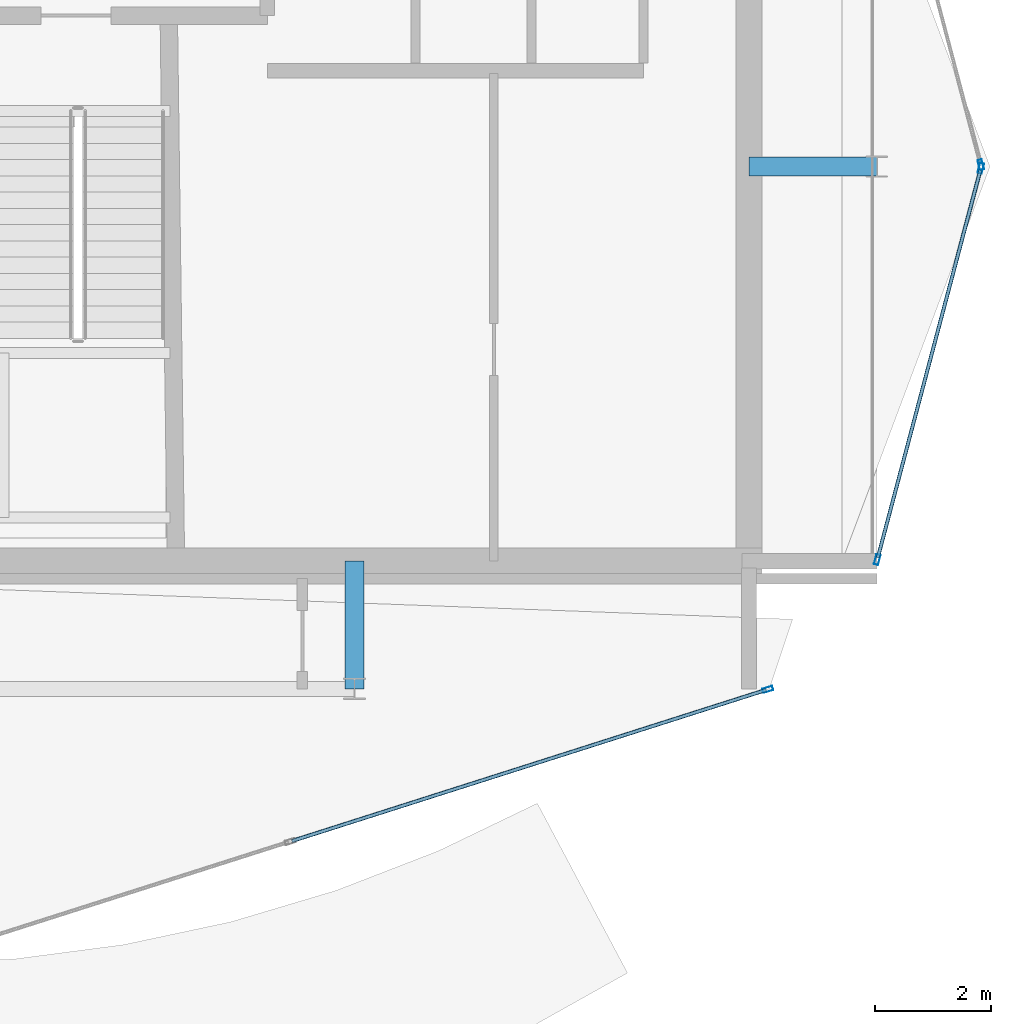
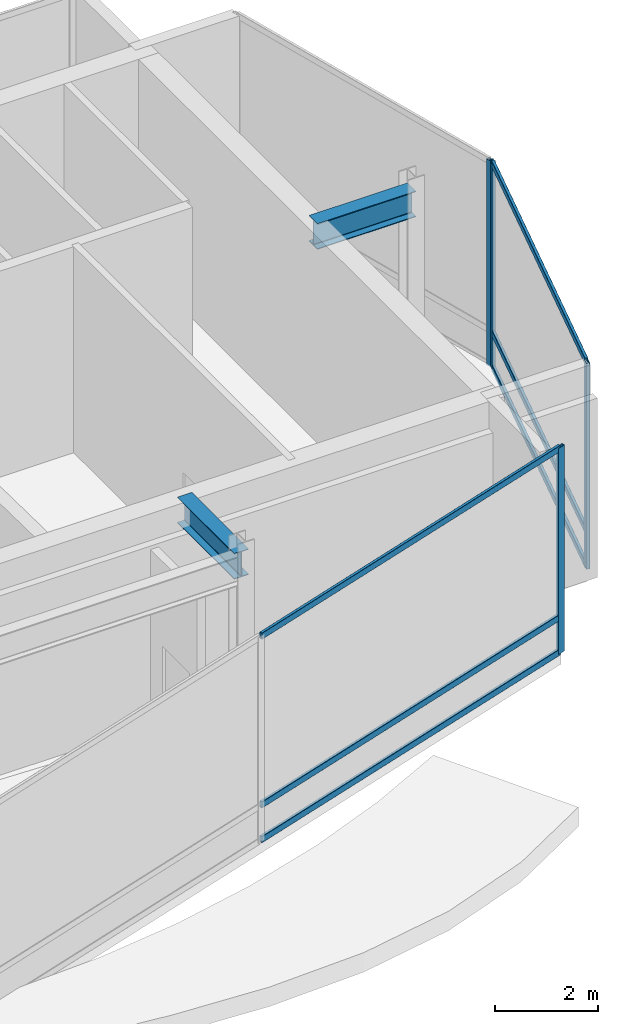
# One storey, part 11 of 21: 10 members, 2 beams, 3 elements without a shape of their own.
"""IFC4 building model written with IfcOpenShell, lengths in metres."""

from ifc_helpers import new_model, si_unit, direction, frame, origin, origin_2d, place, context, subcontext, project, spatial, hollow_rectangle, i_section, extrude, material, layer, layer_set, material_profile, profile_set, type_object, element, aggregate, save


model = new_model("IFC4")

# Units and contexts
model_context = context("Model", 3, precision=1e-05, world=origin(), true_north=direction((0.0, 1.0)))
body_context = subcontext(model_context, "Body", "Model", "MODEL_VIEW")
ifc_project = project(units=[si_unit("LENGTHUNIT", "METRE"), si_unit("AREAUNIT", "SQUARE_METRE"), si_unit("VOLUMEUNIT", "CUBIC_METRE"), si_unit("PLANEANGLEUNIT", "RADIAN"), si_unit("MASSUNIT", "GRAM", prefix="KILO")], contexts=[model_context])

# Site, building, storey
site_placement = place(None, origin())
site = spatial("IfcSite", under=ifc_project, at=site_placement, CompositionType="ELEMENT")
building_placement = place(site_placement, origin())
building = spatial("IfcBuilding", under=site, at=building_placement, Name="Solvaryn Broadcast Tower", CompositionType="ELEMENT")
storey_placement = place(building_placement, frame((0.0, 0.0, 297.39990234375)))
storey = spatial("IfcBuildingStorey", under=building, at=storey_placement, Name="L75", CompositionType="ELEMENT", Elevation=297.39990234375)

# Beams
ifc_material_1 = material(Name="Steel ASTM A992 Grade 50", Category="steel")
ifc_material_profile_1 = material_profile(ifc_material_1, i_section(OverallWidth=0.323974609375, OverallDepth=0.611083984375, WebThickness=0.0126953125, FlangeThickness=0.01904296875, FilletRadius=0.014892578125, at=origin_2d()))
ifc_profile_set_1 = profile_set([ifc_material_profile_1], Name="Steel ASTM A992 Grade 50")
beam_type = type_object("IfcBeamType", Name="BM-B1-W24X104", PredefinedType="BEAM", material=ifc_profile_set_1)
for number, where, z_axis, x_axis, name in (
    (1, (36.0, 9.0, 4.564697265625), (0.0, 1.0, 0.0), (-1.0, 0.0, 0.0), "L75 Core Tie Beam CTE1"),
    (2, (42.800048828125, 18.0, 4.564697265625), (1.0, 0.0, 0.0), (0.0, 1.0, 0.0), "L75 Core Tie Beam CTE3"),
):
    element("IfcBeam", number, at=place(storey_placement, frame(where, z_axis=z_axis, x_axis=x_axis)), inside=storey, type_object=beam_type, Name=name, PredefinedType="BEAM", context=body_context, shape_type="SweptSolid", body=[
        extrude(i_section(OverallWidth=0.323974609375, OverallDepth=0.611083984375, WebThickness=0.0126953125, FlangeThickness=0.01904296875, FilletRadius=0.014892578125, at=origin_2d()), origin(), (0.0, 0.0, 1.0), 2.199951171875),
    ])

# Curtain wall, member
ifc_material_2 = material(Name="Aluminium and Terracotta Unitised Curtain Wall", Category="masonry")
ifc_layer = layer(ifc_material_2, 0.260009765625)
ifc_layer_set = layer_set([ifc_layer], Name="CW-SYS5-DAMPER")
curtain_wall_type = type_object("IfcCurtainWallType", Name="CW-SYS5-DAMPER", PredefinedType="NOTDEFINED", material=ifc_layer_set)
curtain_wall_1_placement = place(storey_placement, origin())
curtain_wall_1 = element("IfcCurtainWall", 3, at=curtain_wall_1_placement, inside=storey, type_object=curtain_wall_type, Name="L75 Curtain Wall DR4", PredefinedType="NOTDEFINED")
ifc_material_3 = material(Name="Anodised Aluminium 6063-T6", Category="aluminium")
ifc_material_profile_2 = material_profile(ifc_material_3, hollow_rectangle(XDim=0.074951171875, YDim=0.179931640625, WallThickness=0.00390625, InnerFilletRadius=0.00390625, OuterFilletRadius=0.008056640625, at=origin_2d()))
ifc_profile_set_2 = profile_set([ifc_material_profile_2], Name="Anodised Aluminium 6063-T6")
member_type_1 = type_object("IfcMemberType", Name="CW-MUL-180", PredefinedType="MULLION", material=ifc_profile_set_2)
member_1_placement = place(storey_placement, frame((43.120361328125, 8.990966796875, 0.0), z_axis=(0.0, 0.0, 1.0), x_axis=(-0.30361564569, 0.952794594701, 0.0)))
member_1 = element("IfcMember", 4, at=member_1_placement, type_object=member_type_1, Name="CWS5 mullion 3", PredefinedType="MULLION", context=body_context, shape_type="SweptSolid", body=[
    extrude(hollow_rectangle(XDim=0.074951171875, YDim=0.179931640625, WallThickness=0.00390625, InnerFilletRadius=0.00390625, OuterFilletRadius=0.008056640625, at=origin_2d()), origin(), (0.0, 0.0, 1.0), 4.8701171875),
])

curtain_wall_2_placement = place(storey_placement, origin())
curtain_wall_2 = element("IfcCurtainWall", 5, at=curtain_wall_2_placement, inside=storey, type_object=curtain_wall_type, Name="L75 Curtain Wall ET1", PredefinedType="NOTDEFINED")
member_2_placement = place(storey_placement, frame((46.792236328125, 18.029052734375, 0.0), z_axis=(0.0, 0.0, 1.0), x_axis=(0.966705227863, 0.25589256031, 0.0)))
member_2 = element("IfcMember", 6, at=member_2_placement, type_object=member_type_1, Name="CWS5 mullion 2", PredefinedType="MULLION", context=body_context, shape_type="SweptSolid", body=[
    extrude(hollow_rectangle(XDim=0.074951171875, YDim=0.179931640625, WallThickness=0.00390625, InnerFilletRadius=0.00390625, OuterFilletRadius=0.008056640625, at=origin_2d()), origin(), (0.0, 0.0, 1.0), 4.8701171875),
])
aggregate(curtain_wall_2, [member_2])

# Curtain wall, members
curtain_wall_3_placement = place(storey_placement, origin())
curtain_wall_3 = element("IfcCurtainWall", 7, at=curtain_wall_3_placement, inside=storey, type_object=curtain_wall_type, Name="L75 Curtain Wall ET2", PredefinedType="NOTDEFINED")
member_3_placement = place(storey_placement, frame((46.792236328125, 17.970947265625, 0.0), z_axis=(0.0, 0.0, 1.0), x_axis=(0.966705227863, -0.25589256031, 0.0)))
member_3 = element("IfcMember", 8, at=member_3_placement, type_object=member_type_1, Name="CWS5 mullion 1", PredefinedType="MULLION", context=body_context, shape_type="SweptSolid", body=[
    extrude(hollow_rectangle(XDim=0.074951171875, YDim=0.179931640625, WallThickness=0.00390625, InnerFilletRadius=0.00390625, OuterFilletRadius=0.008056640625, at=origin_2d()), origin(), (0.0, 0.0, 1.0), 4.8701171875),
])
member_4_placement = place(storey_placement, frame((45.007568359375, 11.22900390625, 0.0), z_axis=(0.0, 0.0, 1.0), x_axis=(0.966705227863, -0.25589256031, 0.0)))
member_4 = element("IfcMember", 9, at=member_4_placement, type_object=member_type_1, Name="CWS5 mullion 2", PredefinedType="MULLION", context=body_context, shape_type="SweptSolid", body=[
    extrude(hollow_rectangle(XDim=0.074951171875, YDim=0.179931640625, WallThickness=0.00390625, InnerFilletRadius=0.00390625, OuterFilletRadius=0.008056640625, at=origin_2d()), origin(), (0.0, 0.0, 1.0), 4.8701171875),
])

# Member
ifc_material_4 = material(Name="Anodised Aluminium 6063-T6", Category="aluminium")
ifc_material_profile_3 = material_profile(ifc_material_4, hollow_rectangle(XDim=0.06494140625, YDim=0.14990234375, WallThickness=0.00390625, InnerFilletRadius=0.00390625, OuterFilletRadius=0.008056640625, at=origin_2d()))
ifc_profile_set_3 = profile_set([ifc_material_profile_3], Name="Anodised Aluminium 6063-T6")
member_type_2 = type_object("IfcMemberType", Name="CW-TRN-150", PredefinedType="USERDEFINED", material=ifc_profile_set_3)
member_5_placement = place(storey_placement, frame((34.921142578125, 6.378173828125, 0.030029296875), z_axis=(0.952798944691, 0.303601994388, 0.0), x_axis=(-0.303601994388, 0.952798944691, 0.0)))
member_5 = element("IfcMember", 10, at=member_5_placement, type_object=member_type_2, Name="CWS5 transom 2.1", ObjectType="TRANSOM", PredefinedType="USERDEFINED", context=body_context, shape_type="SweptSolid", body=[
    extrude(hollow_rectangle(XDim=0.06494140625, YDim=0.14990234375, WallThickness=0.00390625, InnerFilletRadius=0.00390625, OuterFilletRadius=0.008056640625, at=origin_2d()), origin(), (0.0, 0.0, 1.0), 8.575439453125),
])

member_6_placement = place(storey_placement, frame((34.921142578125, 6.378173828125, 0.85009765625), z_axis=(0.952798944691, 0.303601994388, 0.0), x_axis=(-0.303601994388, 0.952798944691, 0.0)))
member_6 = element("IfcMember", 11, at=member_6_placement, type_object=member_type_2, Name="CWS5 transom 2.2", ObjectType="TRANSOM", PredefinedType="USERDEFINED", context=body_context, shape_type="SweptSolid", body=[
    extrude(hollow_rectangle(XDim=0.06494140625, YDim=0.14990234375, WallThickness=0.00390625, InnerFilletRadius=0.00390625, OuterFilletRadius=0.008056640625, at=origin_2d()), origin(), (0.0, 0.0, 1.0), 8.575439453125),
])

member_7_placement = place(storey_placement, frame((34.921142578125, 6.378173828125, 4.840087890625), z_axis=(0.952798944691, 0.303601994388, 0.0), x_axis=(-0.303601994388, 0.952798944691, 0.0)))
member_7 = element("IfcMember", 12, at=member_7_placement, type_object=member_type_2, Name="CWS5 transom 2.3", ObjectType="TRANSOM", PredefinedType="USERDEFINED", context=body_context, shape_type="SweptSolid", body=[
    extrude(hollow_rectangle(XDim=0.06494140625, YDim=0.14990234375, WallThickness=0.00390625, InnerFilletRadius=0.00390625, OuterFilletRadius=0.008056640625, at=origin_2d()), origin(), (0.0, 0.0, 1.0), 8.575439453125),
])

aggregate(curtain_wall_1, [member_1, member_5, member_6, member_7])

member_8_placement = place(storey_placement, frame((46.78466796875, 17.94189453125, 0.030029296875), z_axis=(-0.255897413051, -0.966703943301, 0.0), x_axis=(0.966703943301, -0.255897413051, 0.0)))
member_8 = element("IfcMember", 13, at=member_8_placement, type_object=member_type_2, Name="CWS5 transom 1.1", ObjectType="TRANSOM", PredefinedType="USERDEFINED", context=body_context, shape_type="SweptSolid", body=[
    extrude(hollow_rectangle(XDim=0.06494140625, YDim=0.14990234375, WallThickness=0.00390625, InnerFilletRadius=0.00390625, OuterFilletRadius=0.008056640625, at=origin_2d()), origin(), (0.0, 0.0, 1.0), 6.9140625),
])

member_9_placement = place(storey_placement, frame((46.78466796875, 17.94189453125, 0.85009765625), z_axis=(-0.255897413051, -0.966703943301, 0.0), x_axis=(0.966703943301, -0.255897413051, 0.0)))
member_9 = element("IfcMember", 14, at=member_9_placement, type_object=member_type_2, Name="CWS5 transom 1.2", ObjectType="TRANSOM", PredefinedType="USERDEFINED", context=body_context, shape_type="SweptSolid", body=[
    extrude(hollow_rectangle(XDim=0.06494140625, YDim=0.14990234375, WallThickness=0.00390625, InnerFilletRadius=0.00390625, OuterFilletRadius=0.008056640625, at=origin_2d()), origin(), (0.0, 0.0, 1.0), 6.9140625),
])

member_10_placement = place(storey_placement, frame((46.78466796875, 17.94189453125, 4.840087890625), z_axis=(-0.255897413051, -0.966703943301, 0.0), x_axis=(0.966703943301, -0.255897413051, 0.0)))
member_10 = element("IfcMember", 15, at=member_10_placement, type_object=member_type_2, Name="CWS5 transom 1.3", ObjectType="TRANSOM", PredefinedType="USERDEFINED", context=body_context, shape_type="SweptSolid", body=[
    extrude(hollow_rectangle(XDim=0.06494140625, YDim=0.14990234375, WallThickness=0.00390625, InnerFilletRadius=0.00390625, OuterFilletRadius=0.008056640625, at=origin_2d()), origin(), (0.0, 0.0, 1.0), 6.9140625),
])

aggregate(curtain_wall_3, [member_3, member_4, member_8, member_9, member_10])

save(model, "model.ifc")
